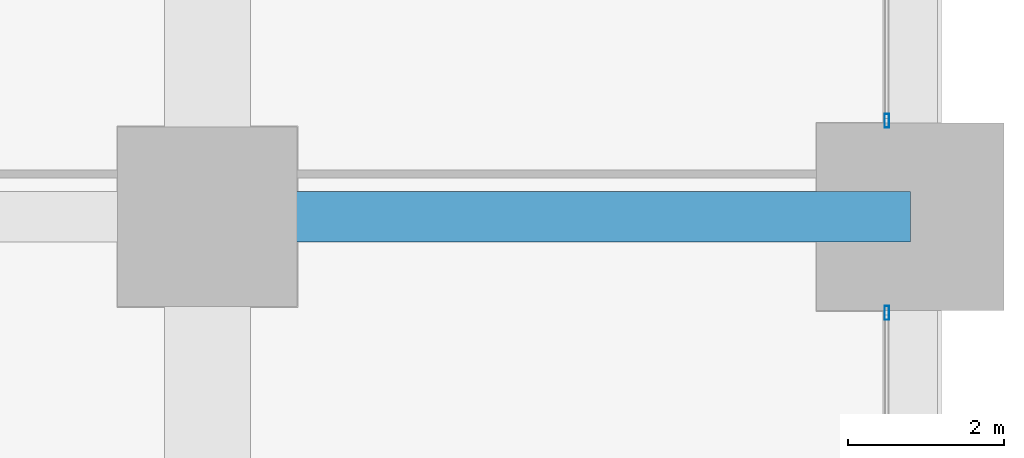
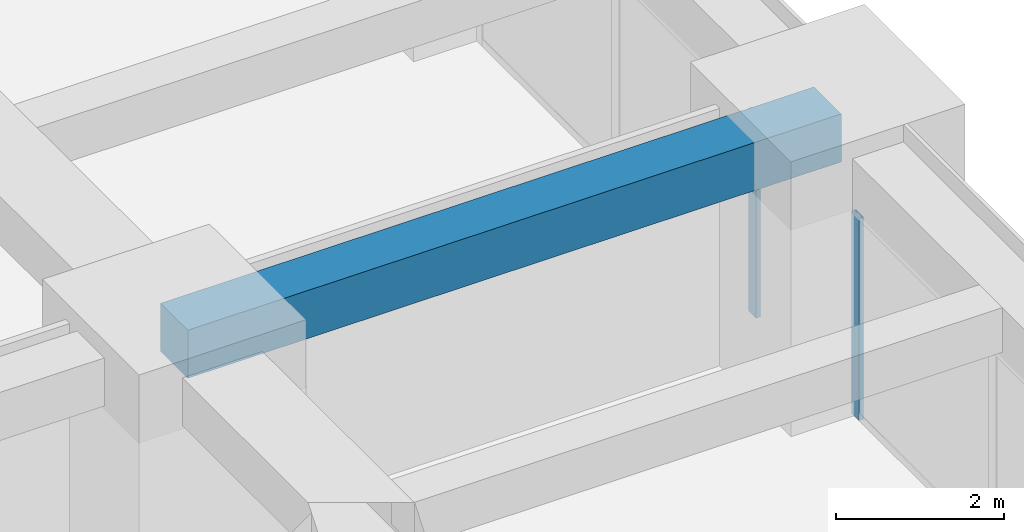
# One storey, part 32 of 44: 2 members, 1 beam, 2 elements without a shape of their own.
"""IFC4 building model written with IfcOpenShell, lengths in metres."""

from ifc_helpers import new_model, si_unit, direction, frame, origin, origin_2d, place, context, subcontext, project, spatial, rectangle, hollow_rectangle, extrude, material, material_profile, profile_set, type_object, element, aggregate, save


model = new_model("IFC4")

# Units and contexts
model_context = context("Model", 3, precision=1e-05, world=origin(), true_north=direction((0.0, 1.0)))
body_context = subcontext(model_context, "Body", "Model", "MODEL_VIEW")
ifc_project = project(units=[si_unit("LENGTHUNIT", "METRE"), si_unit("AREAUNIT", "SQUARE_METRE"), si_unit("VOLUMEUNIT", "CUBIC_METRE"), si_unit("PLANEANGLEUNIT", "RADIAN"), si_unit("MASSUNIT", "GRAM", prefix="KILO")], contexts=[model_context])

# Site, building, storey
site_placement = place(None, origin())
site = spatial("IfcSite", under=ifc_project, at=site_placement, CompositionType="ELEMENT")
building_placement = place(site_placement, origin())
building = spatial("IfcBuilding", under=site, at=building_placement, Name="Zorevar Civic Tower", CompositionType="ELEMENT")
storey_placement = place(building_placement, frame((0.0, 0.0, 35.800048828125)))
storey = spatial("IfcBuildingStorey", under=building, at=storey_placement, Name="L08", CompositionType="ELEMENT", Elevation=35.800048828125)

# Beam
ifc_material_1 = material(Name="Concrete C50/60", Category="concrete")
ifc_material_profile_1 = material_profile(ifc_material_1, rectangle(XDim=0.64990234375, YDim=0.699951171875, at=origin_2d()), Name="RC 650x700")
ifc_profile_set_1 = profile_set([ifc_material_profile_1], Name="Concrete C50/60")
beam_type = type_object("IfcBeamType", Name="Beam RC 650x700", PredefinedType="BEAM", material=ifc_profile_set_1)
beam_placement = place(storey_placement, frame((54.0, 36.0, 3.39990234375), z_axis=(1.0, 0.0, 0.0), x_axis=(0.0, 1.0, 0.0)))
element("IfcBeam", 1, at=beam_placement, inside=storey, type_object=beam_type, Name="Girder L09", PredefinedType="BEAM", context=body_context, shape_type="SweptSolid", body=[
    extrude(rectangle(XDim=0.64990234375, YDim=0.699951171875, at=origin_2d()), origin(), (0.0, 0.0, 1.0), 9.0),
])

# Curtain wall, member
ifc_material_2 = material(Name="Dark grey solar-control glass in black aluminium frame", Category="aluminium")
curtain_wall_type = type_object("IfcCurtainWallType", Name="Curtain wall CW2 low zone", PredefinedType="NOTDEFINED", material=ifc_material_2)
curtain_wall_1_placement = place(storey_placement, origin())
curtain_wall_1 = element("IfcCurtainWall", 2, at=curtain_wall_1_placement, inside=storey, type_object=curtain_wall_type, Name="CW2 L08", PredefinedType="NOTDEFINED")
ifc_material_3 = material(Name="Aluminium, black anodised", Category="aluminium")
ifc_material_profile_2 = material_profile(ifc_material_3, hollow_rectangle(XDim=0.06005859375, YDim=0.179931640625, WallThickness=0.00390625, at=origin_2d()), Name="AL 180x60x4")
ifc_profile_set_2 = profile_set([ifc_material_profile_2], Name="Aluminium, black anodised")
member_type = type_object("IfcMemberType", Name="CW2 mullion AL 180x60x4", PredefinedType="MULLION", material=ifc_profile_set_2)
member_1_placement = place(storey_placement, frame((62.699951171875, 34.77001953125, 0.0), z_axis=(0.0, 0.0, 1.0), x_axis=(-1.0, 0.0, 0.0)))
member_1 = element("IfcMember", 3, at=member_1_placement, type_object=member_type, Name="CW2 mullion 3", PredefinedType="MULLION", context=body_context, shape_type="SweptSolid", body=[
    extrude(hollow_rectangle(XDim=0.06005859375, YDim=0.179931640625, WallThickness=0.00390625, at=origin_2d()), origin(), (0.0, 0.0, 1.0), 2.949951171875),
])
aggregate(curtain_wall_1, [member_1])

curtain_wall_2_placement = place(storey_placement, origin())
curtain_wall_2 = element("IfcCurtainWall", 4, at=curtain_wall_2_placement, inside=storey, type_object=curtain_wall_type, Name="CW2 L08", PredefinedType="NOTDEFINED")
member_2_placement = place(storey_placement, frame((62.699951171875, 37.22998046875, 0.0), z_axis=(0.0, 0.0, 1.0), x_axis=(-1.0, 0.0, 0.0)))
member_2 = element("IfcMember", 5, at=member_2_placement, type_object=member_type, Name="CW2 mullion 1", PredefinedType="MULLION", context=body_context, shape_type="SweptSolid", body=[
    extrude(hollow_rectangle(XDim=0.06005859375, YDim=0.179931640625, WallThickness=0.00390625, at=origin_2d()), origin(), (0.0, 0.0, 1.0), 2.949951171875),
])
aggregate(curtain_wall_2, [member_2])

save(model, "model.ifc")
